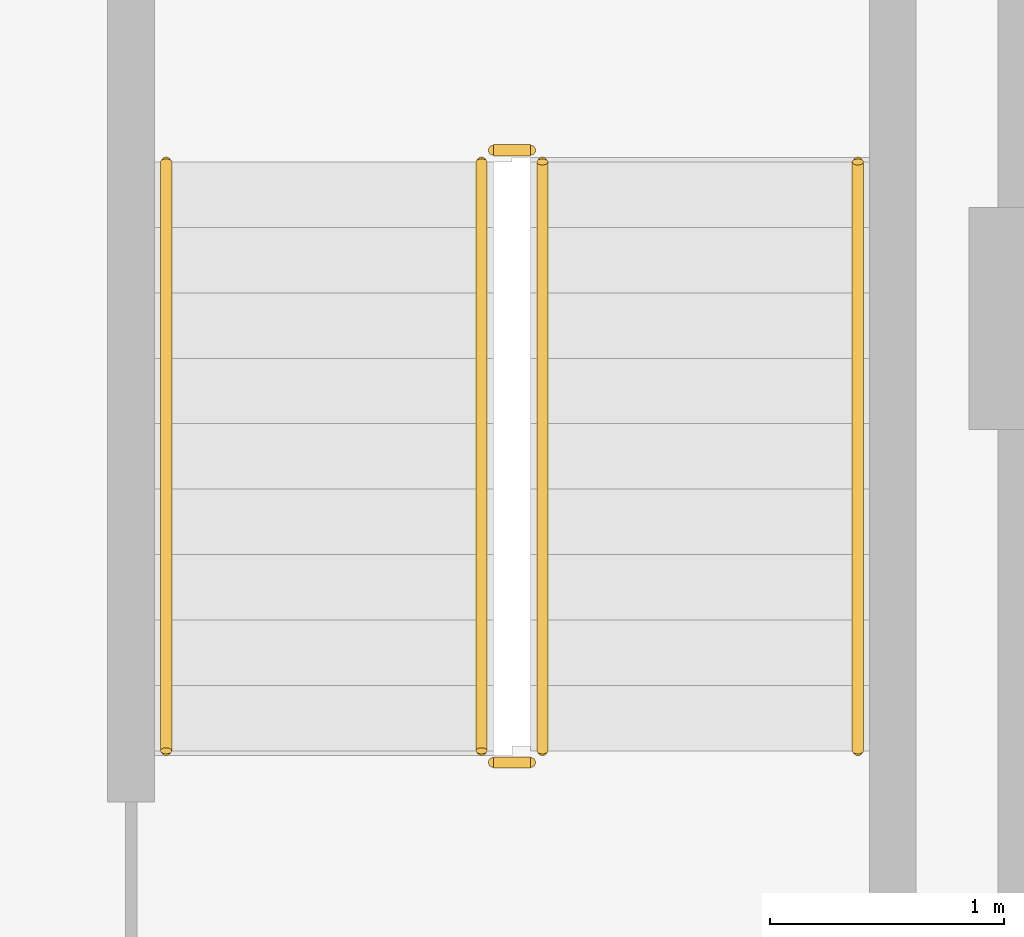
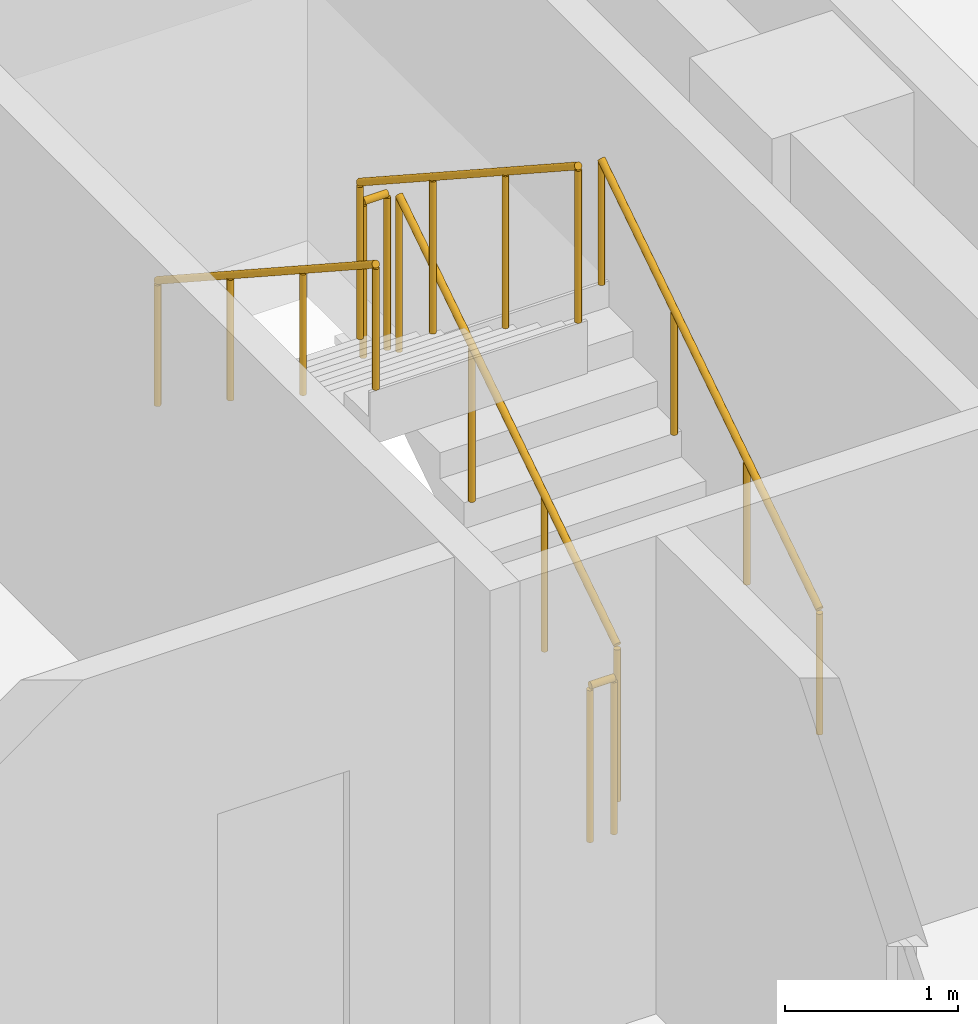
# One storey, part 15 of 16: 6 railings.
"""IFC4 building model written with IfcOpenShell, lengths in metres."""

import ifcopenshell
import ifcopenshell.guid

model = None  # the IFC model being written
_history = None  # IfcOwnerHistory: only IFC2X3 demands one
_inside = {}  # id of a spatial element -> (the spatial element, [elements in it])
_under = {}  # id of a project, library or spatial element -> (it, [spatial elements below it])
_declared = {}  # id of a project -> (the project, [libraries it declares])
_typed = {}  # id of a type object -> (the type object, [elements of that type])
_made_of = {}  # id of a material, layer set ... -> (it, [elements and type objects made of it])


def new_model(schema):
    """Start an empty IFC model of exactly this schema.

    Asked for "IFC4X3", IfcOpenShell would pick the latest addendum, in which some entities
    have other attributes; the version numbers below select the first issue.
    IFC2X3 requires an IfcOwnerHistory on every rooted entity: one is made here for all.
    """
    global model, _history
    if schema == "IFC4X3":
        model = ifcopenshell.file(schema_version=(4, 3, 0, 0))
    else:
        model = ifcopenshell.file(schema=schema)
    _inside.clear()
    _under.clear()
    _declared.clear()
    _typed.clear()
    _made_of.clear()
    _history = None
    if model.schema == "IFC2X3":
        org = make("IfcOrganization", Name="unknown")
        user = make(
            "IfcPersonAndOrganization",
            ThePerson=make("IfcPerson", FamilyName="unknown"),
            TheOrganization=org,
        )
        app = make(
            "IfcApplication",
            ApplicationDeveloper=org,
            Version="unknown",
            ApplicationFullName="unknown",
            ApplicationIdentifier="unknown",
        )
        _history = make(
            "IfcOwnerHistory",
            OwningUser=user,
            OwningApplication=app,
            ChangeAction="ADDED",
            CreationDate=0,
        )
    return model


def make(cls, **values):
    """One entity of the class cls with the attributes given. An attribute that is None is left unset."""
    return model.create_entity(
        cls, **{name: value for name, value in values.items() if value is not None}
    )


def rooted(cls, **values):
    """An entity with a GlobalId (a new one), such as an element, a storey or a relation."""
    return make(cls, GlobalId=ifcopenshell.guid.new(), OwnerHistory=_history, **values)


def si_unit(unit_type, name, prefix=None):
    """IfcSIUnit, for example si_unit("LENGTHUNIT", "METRE", prefix="MILLI")."""
    return make("IfcSIUnit", UnitType=unit_type, Prefix=prefix, Name=name)


def assignment(units):
    """IfcUnitAssignment: the units of a project."""
    return None if units is None else make("IfcUnitAssignment", Units=units)


def point(xyz):
    """IfcCartesianPoint."""
    return None if xyz is None else make("IfcCartesianPoint", Coordinates=xyz)


def direction(xyz):
    """IfcDirection."""
    return None if xyz is None else make("IfcDirection", DirectionRatios=xyz)


def frame(location, z_axis=None, x_axis=None):
    """IfcAxis2Placement3D, a coordinate frame: its origin and axes. An axis left out is left unset."""
    return make(
        "IfcAxis2Placement3D",
        Location=point(location),
        Axis=direction(z_axis),
        RefDirection=direction(x_axis),
    )


def frame_2d(location, x_axis=None):
    """IfcAxis2Placement2D, a coordinate frame in the plane: its origin and x axis."""
    return make(
        "IfcAxis2Placement2D", Location=point(location), RefDirection=direction(x_axis)
    )


def origin():
    """The frame at (0, 0, 0) with its axes left unset."""
    return frame((0.0, 0.0, 0.0))


def origin_2d():
    """The frame at (0, 0) in the plane with its x axis left unset."""
    return frame_2d((0.0, 0.0))


def place(relative_to, where):
    """IfcLocalPlacement: puts the frame where relative to a parent placement (None: the world)."""
    return make(
        "IfcLocalPlacement", PlacementRelTo=relative_to, RelativePlacement=where
    )


def context(
    kind, dimensions, precision=None, world=None, true_north=None, identifier=None
):
    """IfcGeometricRepresentationContext, for example the 3D "Model" context."""
    return make(
        "IfcGeometricRepresentationContext",
        ContextIdentifier=identifier,
        ContextType=kind,
        CoordinateSpaceDimension=dimensions,
        Precision=precision,
        WorldCoordinateSystem=world,
        TrueNorth=true_north,
    )


def subcontext(parent, identifier, kind, view, scale=None):
    """IfcGeometricRepresentationSubContext, for example "Body" below "Model"."""
    return make(
        "IfcGeometricRepresentationSubContext",
        ContextIdentifier=identifier,
        ContextType=kind,
        ParentContext=parent,
        TargetScale=scale,
        TargetView=view,
    )


def project(units=None, contexts=None):
    """IfcProject with its units and contexts."""
    return rooted(
        "IfcProject",
        Name="project",
        RepresentationContexts=contexts,
        UnitsInContext=assignment(units),
    )


def spatial(cls, under=None, at=None, **own):
    """A site, building, storey or space (cls), placed at a placement, below another one or the project."""
    s = rooted(cls, ObjectPlacement=at, **own)
    if under is not None:
        _under.setdefault(under.id(), (under, []))[1].append(s)
    return s


def profile(cls, at=None, kind="AREA", **sizes):
    """A parametric profile (cls). Its sizes go by their IFC names, for example OverallWidth=200.0."""
    return make(cls, ProfileType=kind, Position=at, **sizes)


def circle(**sizes):
    """IfcCircleProfileDef."""
    return profile("IfcCircleProfileDef", **sizes)


def extrude(swept, where, along, depth):
    """IfcExtrudedAreaSolid: the profile swept, set in the frame where, extruded along a direction by depth."""
    return make(
        "IfcExtrudedAreaSolid",
        SweptArea=swept,
        Position=where,
        ExtrudedDirection=direction(along),
        Depth=depth,
    )


def shape(context_of_items, identifier, shape_type, items):
    """IfcShapeRepresentation: the items that make up one representation, for example the "Body"."""
    return make(
        "IfcShapeRepresentation",
        ContextOfItems=context_of_items,
        RepresentationIdentifier=identifier,
        RepresentationType=shape_type,
        Items=items,
    )


def material(Name=None, Category=None):
    """IfcMaterial."""
    return make("IfcMaterial", Name=Name, Category=Category)


def made_of(thing, what):
    """Note that an element or type object is made of a material, layer set ...; save() writes the relation."""
    if what is not None:
        _made_of.setdefault(what.id(), (what, []))[1].append(thing)
    return thing


def type_object(cls, material=None, **own):
    """A type object (cls), such as IfcWallType, which elements share."""
    return made_of(rooted(cls, **own), material)


def element(
    cls,
    number,
    at=None,
    inside=None,
    cuts=None,
    type_object=None,
    material=None,
    context=None,
    identifier="Body",
    shape_type=None,
    held_by="IfcProductDefinitionShape",
    body=None,
    shapes=None,
    **own,
):
    """One element of the class cls, such as IfcWall. Its Tag is "e" and its number.

    at: its placement. inside: the storey or other place that contains it. cuts: it is an
    opening in that element (IfcRelVoidsElement). A single representation is given by context,
    identifier, shape_type and body (its items); several are given by shapes. held_by: the class
    of the entity that holds the representations. save() writes the other relations.
    """
    e = rooted(cls, Tag="e%d" % number, ObjectPlacement=at, **own)
    if body is not None:
        shapes = [shape(context, identifier, shape_type, body)]
    if shapes is not None:
        e.Representation = make(held_by, Representations=shapes)
    if inside is not None:
        _inside.setdefault(inside.id(), (inside, []))[1].append(e)
    if cuts is not None:
        rooted(
            "IfcRelVoidsElement", RelatingBuildingElement=cuts, RelatedOpeningElement=e
        )
    if type_object is not None:
        _typed.setdefault(type_object.id(), (type_object, []))[1].append(e)
    return made_of(e, material)


def aggregate(whole, parts):
    """IfcRelAggregates: a whole, such as a stair, and the parts it consists of."""
    return rooted("IfcRelAggregates", RelatingObject=whole, RelatedObjects=parts)


def save(model, path):
    """Write the relations noted so far, then the file.

    IfcRelAggregates (storeys below a building ...), IfcRelContainedInSpatialStructure (elements
    in a storey), IfcRelDefinesByType, IfcRelAssociatesMaterial and IfcRelDeclares: one each for
    every whole, place, type object, material and project.
    """
    for whole, parts in _under.values():
        aggregate(whole, parts)
    for where, things in _inside.values():
        rooted(
            "IfcRelContainedInSpatialStructure",
            RelatedElements=things,
            RelatingStructure=where,
        )
    for kind, things in _typed.values():
        rooted("IfcRelDefinesByType", RelatedObjects=things, RelatingType=kind)
    for what, things in _made_of.values():
        rooted("IfcRelAssociatesMaterial", RelatedObjects=things, RelatingMaterial=what)
    for by, libraries in _declared.values():
        rooted("IfcRelDeclares", RelatingContext=by, RelatedDefinitions=libraries)
    model.write(path)


model = new_model("IFC4")

# Units and contexts
model_context = context("Model", 3, precision=1e-05, world=origin(), true_north=direction((0.0, 1.0)))
body_context = subcontext(model_context, "Body", "Model", "MODEL_VIEW")
ifc_project = project(units=[si_unit("LENGTHUNIT", "METRE"), si_unit("AREAUNIT", "SQUARE_METRE"), si_unit("VOLUMEUNIT", "CUBIC_METRE"), si_unit("PLANEANGLEUNIT", "RADIAN"), si_unit("MASSUNIT", "GRAM", prefix="KILO")], contexts=[model_context])

# Site, building, storey
site_placement = place(None, origin())
site = spatial("IfcSite", under=ifc_project, at=site_placement, CompositionType="ELEMENT")
building_placement = place(site_placement, origin())
building = spatial("IfcBuilding", under=site, at=building_placement, Name="Nuvemarco Arch Tower", CompositionType="ELEMENT")
storey_placement = place(building_placement, frame((0.0, 0.0, 209.14990234375)))
storey = spatial("IfcBuildingStorey", under=building, at=storey_placement, Name="L55", CompositionType="ELEMENT", Elevation=209.14990234375)

# Railings
ifc_material_1 = material(Name="Brushed stainless steel handrail", Category="steel")
railing_type_1 = type_object("IfcRailingType", Name="RL-HANDRAIL-900", PredefinedType="HANDRAIL", material=ifc_material_1)
railing_1_placement = place(storey_placement, frame((16.550048828125, 2.64990234375, 0.1826171875)))
element("IfcRailing", 1, at=railing_1_placement, inside=storey, type_object=railing_type_1, Name="L55 ST-2 stair handrail 1", PredefinedType="HANDRAIL", context=body_context, shape_type="SweptSolid", body=[
    extrude(circle(Radius=0.02392578125, at=origin_2d()), frame((0.0, 0.0, 0.8759765625), z_axis=(0.0, 0.837749427056, 0.546054848405), x_axis=(-1.0, 0.0, 0.0)), (0.0, 0.0, 1.0), 3.008056640625),
    extrude(circle(Radius=0.02099609375, at=origin_2d()), origin(), (0.0, 0.0, 1.0), 0.851806640625),
    extrude(circle(Radius=0.02099609375, at=origin_2d()), frame((0.0, 0.840087890625, 0.547607421875)), (0.0, 0.0, 1.0), 0.851806640625),
    extrude(circle(Radius=0.02099609375, at=origin_2d()), frame((0.0, 1.679931640625, 1.094970703125)), (0.0, 0.0, 1.0), 0.851806640625),
    extrude(circle(Radius=0.02099609375, at=origin_2d()), frame((0.0, 2.52001953125, 1.642578125)), (0.0, 0.0, 1.0), 0.851806640625),
])
railing_2_placement = place(storey_placement, frame((13.590087890625, 5.169921875, 2.007568359375)))
element("IfcRailing", 2, at=railing_2_placement, inside=storey, type_object=railing_type_1, Name="L55 ST-2 stair handrail 2", PredefinedType="HANDRAIL", context=body_context, shape_type="SweptSolid", body=[
    extrude(circle(Radius=0.02392578125, at=origin_2d()), frame((0.0, 0.0, 0.8759765625), z_axis=(0.0, -0.837749427056, 0.546054848405), x_axis=(1.0, 0.0, 0.0)), (0.0, 0.0, 1.0), 3.008056640625),
    extrude(circle(Radius=0.02099609375, at=origin_2d()), origin(), (0.0, 0.0, 1.0), 0.851806640625),
    extrude(circle(Radius=0.02099609375, at=origin_2d()), frame((0.0, -0.840087890625, 0.547607421875)), (0.0, 0.0, 1.0), 0.851806640625),
    extrude(circle(Radius=0.02099609375, at=origin_2d()), frame((0.0, -1.679931640625, 1.094970703125)), (0.0, 0.0, 1.0), 0.851806640625),
    extrude(circle(Radius=0.02099609375, at=origin_2d()), frame((0.0, -2.52001953125, 1.642578125)), (0.0, 0.0, 1.0), 0.851806640625),
])
ifc_material_2 = material(Name="Painted balustrade steel S355", Category="steel")
railing_type_2 = type_object("IfcRailingType", Name="RL-STAIR-GUARD", PredefinedType="GUARDRAIL", material=ifc_material_2)
railing_3_placement = place(storey_placement, frame((15.199951171875, 2.64990234375, 0.1826171875)))
element("IfcRailing", 3, at=railing_3_placement, inside=storey, type_object=railing_type_2, Name="L55 ST-2 stair guard 1", PredefinedType="GUARDRAIL", context=body_context, shape_type="SweptSolid", body=[
    extrude(circle(Radius=0.02392578125, at=origin_2d()), frame((0.0, 0.0, 1.09619140625), z_axis=(0.0, 0.837749427056, 0.546054848405), x_axis=(-1.0, 0.0, 0.0)), (0.0, 0.0, 1.0), 3.008056640625),
    extrude(circle(Radius=0.02099609375, at=origin_2d()), origin(), (0.0, 0.0, 1.0), 1.072021484375),
    extrude(circle(Radius=0.02099609375, at=origin_2d()), frame((0.0, 0.840087890625, 0.547607421875)), (0.0, 0.0, 1.0), 1.072021484375),
    extrude(circle(Radius=0.02099609375, at=origin_2d()), frame((0.0, 1.679931640625, 1.094970703125)), (0.0, 0.0, 1.0), 1.072021484375),
    extrude(circle(Radius=0.02099609375, at=origin_2d()), frame((0.0, 2.52001953125, 1.642578125)), (0.0, 0.0, 1.0), 1.072021484375),
])
railing_4_placement = place(storey_placement, frame((15.14990234375, 5.219970703125, 1.8251953125)))
element("IfcRailing", 4, at=railing_4_placement, inside=storey, type_object=railing_type_2, Name="L55 ST-2 stair guard 2", PredefinedType="GUARDRAIL", context=body_context, shape_type="SweptSolid", body=[
    extrude(circle(Radius=0.02392578125, at=origin_2d()), frame((0.0, 0.0, 1.09619140625), z_axis=(-1.0, 0.0, 0.0), x_axis=(0.0, -1.0, 0.0)), (0.0, 0.0, 1.0), 0.159912109375),
    extrude(circle(Radius=0.02099609375, at=origin_2d()), origin(), (0.0, 0.0, 1.0), 1.072021484375),
    extrude(circle(Radius=0.02099609375, at=origin_2d()), frame((-0.159912109375, 0.0, 0.0)), (0.0, 0.0, 1.0), 1.072021484375),
])
railing_5_placement = place(storey_placement, frame((14.93994140625, 5.169921875, 2.007568359375)))
element("IfcRailing", 5, at=railing_5_placement, inside=storey, type_object=railing_type_2, Name="L55 ST-2 stair guard 3", PredefinedType="GUARDRAIL", context=body_context, shape_type="SweptSolid", body=[
    extrude(circle(Radius=0.02392578125, at=origin_2d()), frame((0.0, 0.0, 1.09619140625), z_axis=(0.0, -0.837749427056, 0.546054848405), x_axis=(1.0, 0.0, 0.0)), (0.0, 0.0, 1.0), 3.008056640625),
    extrude(circle(Radius=0.02099609375, at=origin_2d()), origin(), (0.0, 0.0, 1.0), 1.072021484375),
    extrude(circle(Radius=0.02099609375, at=origin_2d()), frame((0.0, -0.840087890625, 0.547607421875)), (0.0, 0.0, 1.0), 1.072021484375),
    extrude(circle(Radius=0.02099609375, at=origin_2d()), frame((0.0, -1.679931640625, 1.094970703125)), (0.0, 0.0, 1.0), 1.072021484375),
    extrude(circle(Radius=0.02099609375, at=origin_2d()), frame((0.0, -2.52001953125, 1.642578125)), (0.0, 0.0, 1.0), 1.072021484375),
])
railing_6_placement = place(storey_placement, frame((15.14990234375, 2.60009765625, 0.0)))
element("IfcRailing", 6, at=railing_6_placement, inside=storey, type_object=railing_type_2, Name="L55 ST-2 stair guard 4", PredefinedType="GUARDRAIL", context=body_context, shape_type="SweptSolid", body=[
    extrude(circle(Radius=0.02392578125, at=origin_2d()), frame((0.0, 0.0, 1.09619140625), z_axis=(-1.0, 0.0, 0.0), x_axis=(0.0, -1.0, 0.0)), (0.0, 0.0, 1.0), 0.159912109375),
    extrude(circle(Radius=0.02099609375, at=origin_2d()), origin(), (0.0, 0.0, 1.0), 1.072021484375),
    extrude(circle(Radius=0.02099609375, at=origin_2d()), frame((-0.159912109375, 0.0, 0.0)), (0.0, 0.0, 1.0), 1.072021484375),
])

save(model, "model.ifc")
